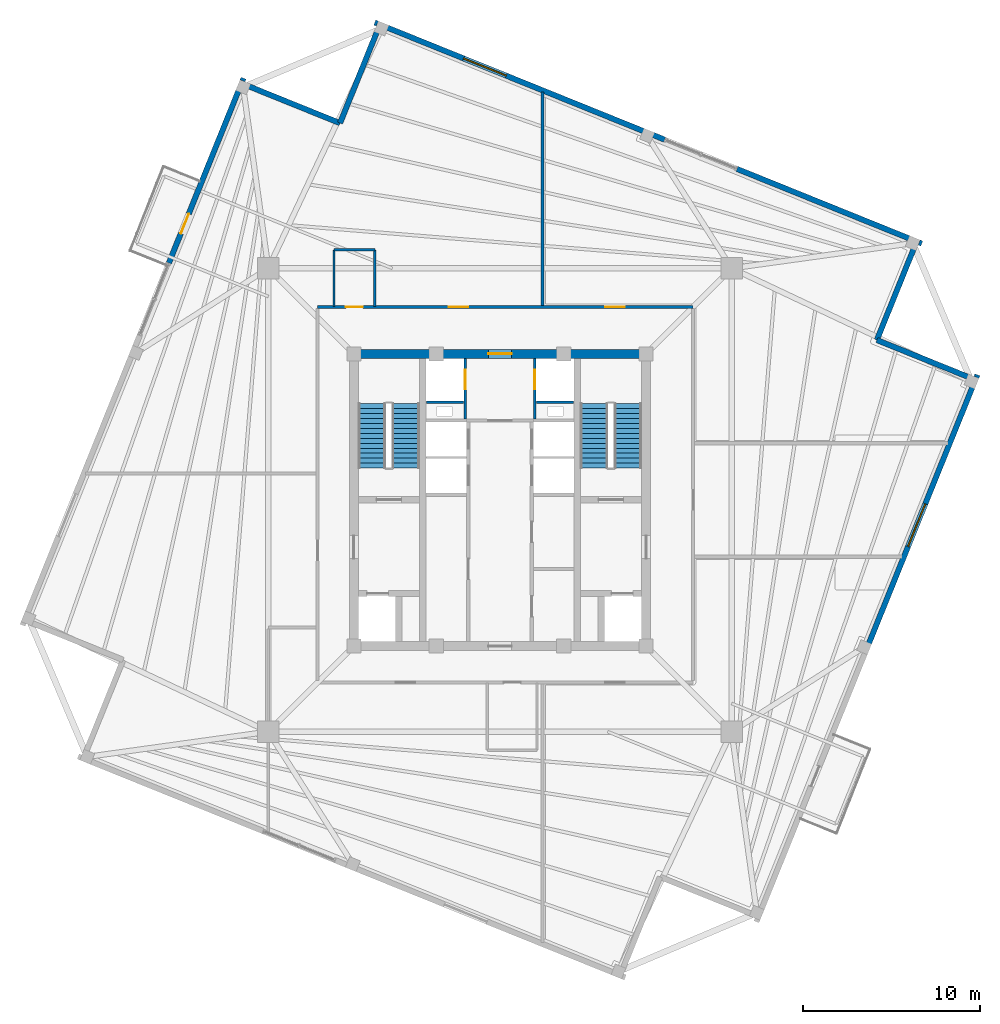
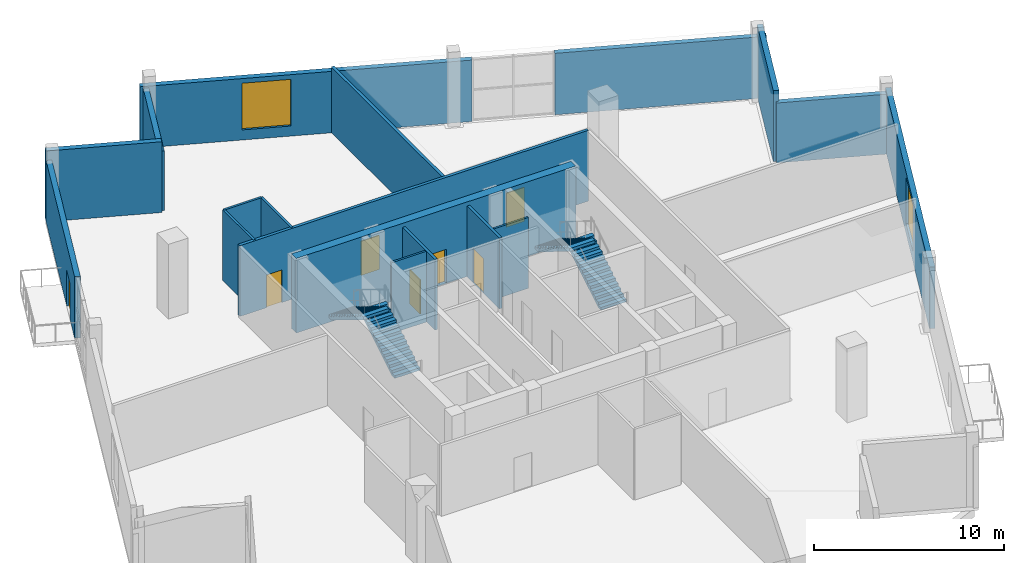
# One storey, part 9 of 12: 18 walls, 7 doors, 4 stair flights, 2 windows, 9 openings, 2 elements without a shape of their own.
"""IFC4 building model written with IfcOpenShell, lengths in metres."""

from ifc_helpers import new_model, si_unit, direction, frame, frame_2d, origin, place, context, subcontext, project, spatial, polyline, rectangle, outline, extrude, source, transform, mapped, material, layer, layer_set, type_object, element, fill, aggregate, save


model = new_model("IFC4")

# Units and contexts
model_context = context("Model", 3, precision=1e-05, world=origin(), true_north=direction((0.0, 1.0)))
body_context = subcontext(model_context, "Body", "Model", "MODEL_VIEW")
ifc_project = project(units=[si_unit("LENGTHUNIT", "METRE"), si_unit("AREAUNIT", "SQUARE_METRE"), si_unit("VOLUMEUNIT", "CUBIC_METRE"), si_unit("PLANEANGLEUNIT", "RADIAN"), si_unit("MASSUNIT", "GRAM", prefix="KILO"), si_unit("THERMODYNAMICTEMPERATUREUNIT", "KELVIN")], contexts=[model_context])

# Site, building, storey
site_placement = place(None, origin())
site = spatial("IfcSite", under=ifc_project, at=site_placement, CompositionType="ELEMENT")
building_placement = place(site_placement, origin())
building = spatial("IfcBuilding", under=site, at=building_placement, Name="Kosmvard Interchange Tower", CompositionType="ELEMENT")
storey_placement = place(building_placement, frame((0.0, 0.0, 312.0)))
storey = spatial("IfcBuildingStorey", under=building, at=storey_placement, Name="L77", CompositionType="ELEMENT", Elevation=312.0)

# Wall, opening, door
ifc_material_1 = material(Name="Fire-rated gypsum partition system")
ifc_layer_1 = layer(ifc_material_1, 0.159912109375, Name="Fire-rated gypsum partition system")
ifc_layer_set_1 = layer_set([ifc_layer_1], Name="Fire-rated gypsum partition system")
wall_type_1 = type_object("IfcWallType", Name="Core Compartment & Shuttle Lobby Partition 160", PredefinedType="PARTITIONING", material=ifc_layer_set_1)
wall_1_placement = place(storey_placement, frame((-1.9599609375, 4.580078125, 0.0), z_axis=(0.0, 0.0, 1.0), x_axis=(0.0, 1.0, 0.0)))
wall_1 = element("IfcWall", 1, at=wall_1_placement, inside=storey, type_object=wall_type_1, Name="L77 North Core West Wall", PredefinedType="PARTITIONING", context=body_context, shape_type="SweptSolid", body=[
    extrude(rectangle(XDim=3.39990234375, YDim=0.159912109375, at=frame_2d((1.699951171875, 0.0))), origin(), (0.0, 0.0, 1.0), 4.550048828125),
])
opening_1_placement = place(wall_1_placement, frame((1.669921875, 0.0, 0.0)))
opening_1 = element("IfcOpeningElement", 2, at=opening_1_placement, cuts=wall_1, Name="Opening LD-OBS1-L77", PredefinedType="OPENING", context=body_context, shape_type="SweptSolid", body=[
    extrude(rectangle(XDim=1.10009765625, YDim=2.199951171875, at=frame_2d((0.550048828125, 1.10009765625))), frame((0.0, 0.08984375, 0.0), z_axis=(0.0, -1.0, 0.0), x_axis=(1.0, 0.0, 0.0)), (0.0, 0.0, 1.0), 0.179931640625),
])
ifc_material_2 = material(Name="Brushed stainless steel sliding leaf", Category="steel")
door_type_1 = type_object("IfcDoorType", Name="Passenger Lift Sliding Landing Door 1100x2200 EI60", OperationType="DOUBLE_DOOR_SLIDING", PredefinedType="DOOR", material=ifc_material_2)
shared_shape_1 = source(origin(), body_context, "Body", "SweptSolid", [
    extrude(rectangle(XDim=1.10009765625, YDim=2.199951171875, at=frame_2d((0.550048828125, 1.10009765625))), frame((0.0, 0.02490234375, 0.0), z_axis=(0.0, -1.0, 0.0), x_axis=(1.0, 0.0, 0.0)), (0.0, 0.0, 1.0), 0.050048828125),
])
door_1_placement = place(opening_1_placement, frame((1.10009765625, 0.0, 0.0), z_axis=(0.0, 0.0, 1.0), x_axis=(-1.0, 0.0, 0.0)))
door_1 = element("IfcDoor", 3, at=door_1_placement, inside=storey, type_object=door_type_1, Name="Lift OBS-1 Landing Door L77", OperationType="DOUBLE_DOOR_SLIDING", OverallHeight=2.199951171875, OverallWidth=1.10009765625, PredefinedType="DOOR", context=body_context, shape_type="MappedRepresentation", body=[
    mapped(shared_shape_1, transform((0.0, 0.0, 0.0), scale=1.0)),
])
fill(opening_1, door_1)

wall_2_placement = place(storey_placement, frame((1.9599609375, 4.580078125, 0.0), z_axis=(0.0, 0.0, 1.0), x_axis=(0.0, 1.0, 0.0)))
wall_2 = element("IfcWall", 4, at=wall_2_placement, inside=storey, type_object=wall_type_1, Name="L77 North Core East Wall", PredefinedType="PARTITIONING", context=body_context, shape_type="SweptSolid", body=[
    extrude(rectangle(XDim=3.39990234375, YDim=0.159912109375, at=frame_2d((1.699951171875, 0.0))), origin(), (0.0, 0.0, 1.0), 4.550048828125),
])
opening_2_placement = place(wall_2_placement, frame((1.669921875, 0.0, 0.0)))
opening_2 = element("IfcOpeningElement", 5, at=opening_2_placement, cuts=wall_2, Name="Opening LD-OBS2-L77", PredefinedType="OPENING", context=body_context, shape_type="SweptSolid", body=[
    extrude(rectangle(XDim=1.10009765625, YDim=2.199951171875, at=frame_2d((0.550048828125, 1.10009765625))), frame((0.0, 0.08984375, 0.0), z_axis=(0.0, -1.0, 0.0), x_axis=(1.0, 0.0, 0.0)), (0.0, 0.0, 1.0), 0.179931640625),
])
door_2_placement = place(opening_2_placement, origin())
door_2 = element("IfcDoor", 6, at=door_2_placement, inside=storey, type_object=door_type_1, Name="Lift OBS-2 Landing Door L77", OperationType="DOUBLE_DOOR_SLIDING", OverallHeight=2.199951171875, OverallWidth=1.10009765625, PredefinedType="DOOR", context=body_context, shape_type="MappedRepresentation", body=[
    mapped(shared_shape_1, transform((0.0, 0.0, 0.0), scale=1.0)),
])
fill(opening_2, door_2)

# Wall, openings, doors
ifc_layer_2 = layer(ifc_material_1, 0.179931640625, Name="Fire-rated gypsum partition system")
ifc_layer_set_2 = layer_set([ifc_layer_2], Name="Fire-rated gypsum partition system")
wall_type_2 = type_object("IfcWallType", Name="Corridor & Hotel Compartment Partition 180", PredefinedType="PARTITIONING", material=ifc_layer_set_2)
wall_3_placement = place(storey_placement, frame((-10.300048828125, 10.89990234375, 0.0), z_axis=(0.0, 0.0, 1.0), x_axis=(1.0, 0.0, 0.0)))
wall_3 = element("IfcWall", 7, at=wall_3_placement, inside=storey, type_object=wall_type_2, Name="L77 Corridor Wall CN", PredefinedType="PARTITIONING", context=body_context, shape_type="SweptSolid", body=[
    extrude(rectangle(XDim=21.199951171875, YDim=0.179931640625, at=frame_2d((10.60009765625, 0.0))), origin(), (0.0, 0.0, 1.0), 4.550048828125),
])
opening_3_placement = place(wall_3_placement, frame((1.60498046875, 0.0, 0.0)))
opening_3 = element("IfcOpeningElement", 8, at=opening_3_placement, cuts=wall_3, Name="Opening L77-D01", PredefinedType="OPENING", context=body_context, shape_type="SweptSolid", body=[
    extrude(rectangle(XDim=0.949951171875, YDim=2.10009765625, at=frame_2d((0.47509765625, 1.050048828125))), frame((0.0, 0.10009765625, 0.0), z_axis=(0.0, -1.0, 0.0), x_axis=(1.0, 0.0, 0.0)), (0.0, 0.0, 1.0), 0.199951171875),
])
opening_4_placement = place(wall_3_placement, frame((7.408935546875, 0.0, 0.0)))
opening_4 = element("IfcOpeningElement", 9, at=opening_4_placement, cuts=wall_3, Name="Opening L77-D03", PredefinedType="OPENING", context=body_context, shape_type="SweptSolid", body=[
    extrude(rectangle(XDim=1.10009765625, YDim=2.199951171875, at=frame_2d((0.550048828125, 1.10009765625))), frame((0.0, 0.10009765625, 0.0), z_axis=(0.0, -1.0, 0.0), x_axis=(1.0, 0.0, 0.0)), (0.0, 0.0, 1.0), 0.199951171875),
])
opening_5_placement = place(wall_3_placement, frame((16.235595703125, 0.0, 0.0)))
opening_5 = element("IfcOpeningElement", 10, at=opening_5_placement, cuts=wall_3, Name="Opening L77-D04", PredefinedType="OPENING", context=body_context, shape_type="SweptSolid", body=[
    extrude(rectangle(XDim=1.10009765625, YDim=2.199951171875, at=frame_2d((0.550048828125, 1.10009765625))), frame((0.0, 0.10009765625, 0.0), z_axis=(0.0, -1.0, 0.0), x_axis=(1.0, 0.0, 0.0)), (0.0, 0.0, 1.0), 0.199951171875),
])
ifc_material_3 = material(Name="Laminated moisture-resistant timber", Category="wood")
door_type_2 = type_object("IfcDoorType", Name="Accessible Washroom Door 950x2100", OperationType="NOTDEFINED", PredefinedType="DOOR", material=ifc_material_3)
shared_shape_2 = source(origin(), body_context, "Body", "SweptSolid", [
    extrude(rectangle(XDim=0.949951171875, YDim=2.10009765625, at=frame_2d((0.47509765625, 1.050048828125))), frame((0.0, 0.02490234375, 0.0), z_axis=(0.0, -1.0, 0.0), x_axis=(1.0, 0.0, 0.0)), (0.0, 0.0, 1.0), 0.050048828125),
])
door_3_placement = place(opening_3_placement, origin())
door_3 = element("IfcDoor", 11, at=door_3_placement, inside=storey, type_object=door_type_2, Name="L77 Accessible Public Toilet Door", OperationType="SINGLE_SWING_LEFT", OverallHeight=2.10009765625, OverallWidth=0.949951171875, PredefinedType="DOOR", context=body_context, shape_type="MappedRepresentation", body=[
    mapped(shared_shape_2, transform((0.0, 0.0, 0.0), scale=1.0)),
])
fill(opening_3, door_3)
ifc_material_4 = material(Name="Engineered oak fire-rated timber", Category="wood")
door_type_3 = type_object("IfcDoorType", Name="Office Suite Entrance Door 1100x2200 FD30S", OperationType="NOTDEFINED", PredefinedType="DOOR", material=ifc_material_4)
door_4_placement = place(opening_4_placement, origin())
door_4 = element("IfcDoor", 12, at=door_4_placement, inside=storey, type_object=door_type_3, Name="L77 Public Observation Deck North Door", OperationType="SINGLE_SWING_LEFT", OverallHeight=2.199951171875, OverallWidth=1.10009765625, PredefinedType="DOOR", context=body_context, shape_type="MappedRepresentation", body=[
    mapped(shared_shape_1, transform((0.0, 0.0, 0.0), scale=1.0)),
])
fill(opening_4, door_4)
door_5_placement = place(opening_5_placement, origin())
door_5 = element("IfcDoor", 13, at=door_5_placement, inside=storey, type_object=door_type_3, Name="L77 Cosmic Modernism Gallery Door", OperationType="SINGLE_SWING_RIGHT", OverallHeight=2.199951171875, OverallWidth=1.10009765625, PredefinedType="DOOR", context=body_context, shape_type="MappedRepresentation", body=[
    mapped(shared_shape_1, transform((0.0, 0.0, 0.0), scale=1.0)),
])
fill(opening_5, door_5)

# Walls
wall_4_placement = place(storey_placement, frame((2.39990234375, 10.9951171875, 0.0), z_axis=(0.0, 0.0, 1.0), x_axis=(0.0, 1.0, 0.0)))
element("IfcWall", 14, at=wall_4_placement, inside=storey, type_object=wall_type_2, Name="L77 Room Partition 01.1", PredefinedType="PARTITIONING", context=body_context, shape_type="SweptSolid", body=[
    extrude(rectangle(XDim=12.0380859375, YDim=0.179931640625, at=frame_2d((6.01904296875, 0.0))), origin(), (0.0, 0.0, 1.0), 4.219970703125),
])
ifc_material_5 = material(Name="Fire-rated gypsum shaftwall system")
ifc_layer_3 = layer(ifc_material_5, 0.1201171875, Name="Fire-rated gypsum shaftwall system")
ifc_layer_set_3 = layer_set([ifc_layer_3], Name="Fire-rated gypsum shaftwall system")
wall_type_3 = type_object("IfcWallType", Name="Shaft & Riser Fire Partition 120 EI60", PredefinedType="PARTITIONING", material=ifc_layer_set_3)
for number, where, z_axis, x_axis, name in (
    (15, (-4.159912109375, 5.52001953125, 0.0), (0.0, 0.0, 1.0), (1.0, 0.0, 0.0), "L77 Riser Shaft Divider W"),
    (16, (2.06005859375, 5.52001953125, 0.0), (0.0, 0.0, 1.0), (1.0, 0.0, 0.0), "L77 Riser Shaft Divider E"),
):
    element("IfcWall", number, at=place(storey_placement, frame(where, z_axis=z_axis, x_axis=x_axis)), inside=storey, type_object=wall_type_3, Name=name, PredefinedType="PARTITIONING", context=body_context, shape_type="SweptSolid", body=[
        extrude(rectangle(XDim=2.099853515625, YDim=0.1201171875, at=frame_2d((1.0498046875, 0.0))), origin(), (0.0, 0.0, 1.0), 4.550048828125),
    ])

# Wall, opening, door
ifc_material_6 = material(Name="Concrete C60/75", Category="concrete")
ifc_layer_4 = layer(ifc_material_6, 0.5, Name="Concrete C60/75")
ifc_layer_set_4 = layer_set([ifc_layer_4], Name="Concrete C60/75")
wall_type_4 = type_object("IfcWallType", Name="Upper Core Shear Wall 500 C60/75", PredefinedType="SHEAR", material=ifc_layer_set_4)
wall_5_placement = place(storey_placement, frame((-8.5, 8.25, 0.0), z_axis=(0.0, 0.0, 1.0), x_axis=(1.0, 0.0, 0.0)))
wall_5 = element("IfcWall", 17, at=wall_5_placement, inside=storey, type_object=wall_type_4, Name="L77 Core Shear Wall CW-N", PredefinedType="SHEAR", context=body_context, shape_type="SweptSolid", body=[
    extrude(rectangle(XDim=17.0, YDim=0.5, at=frame_2d((8.5, 0.0))), origin(), (0.0, 0.0, 1.0), 4.800048828125),
])
opening_6_placement = place(wall_5_placement, frame((7.85009765625, 0.0, 0.0)))
opening_6 = element("IfcOpeningElement", 18, at=opening_6_placement, cuts=wall_5, Name="Opening L77-OD2", PredefinedType="OPENING", context=body_context, shape_type="SweptSolid", body=[
    extrude(rectangle(XDim=1.300048828125, YDim=2.199951171875, at=frame_2d((0.64990234375, 1.10009765625))), frame((0.0, 0.260009765625, 0.0), z_axis=(0.0, -1.0, 0.0), x_axis=(1.0, 0.0, 0.0)), (0.0, 0.0, 1.0), 0.52001953125),
])
ifc_material_7 = material(Name="Painted fire-rated steel leaf", Category="steel")
door_type_4 = type_object("IfcDoorType", Name="Firefighting Lobby Door 1300x2200 EI60", OperationType="NOTDEFINED", PredefinedType="DOOR", material=ifc_material_7)
shared_shape_3 = source(origin(), body_context, "Body", "SweptSolid", [
    extrude(rectangle(XDim=1.300048828125, YDim=2.199951171875, at=frame_2d((0.64990234375, 1.10009765625))), frame((0.0, 0.02490234375, 0.0), z_axis=(0.0, -1.0, 0.0), x_axis=(1.0, 0.0, 0.0)), (0.0, 0.0, 1.0), 0.050048828125),
])
door_6_placement = place(opening_6_placement, origin())
door_6 = element("IfcDoor", 19, at=door_6_placement, inside=storey, type_object=door_type_4, Name="L77 Shuttle Lobby North Door", OperationType="SINGLE_SWING_RIGHT", OverallHeight=2.199951171875, OverallWidth=1.300048828125, PredefinedType="DOOR", context=body_context, shape_type="MappedRepresentation", body=[
    mapped(shared_shape_3, transform((0.0, 0.0, 0.0), scale=1.0)),
])
fill(opening_6, door_6)

# Walls
ifc_material_8 = material(Name="Precast concrete C45/55", Category="concrete")
ifc_layer_5 = layer(ifc_material_8, 0.31005859375, Name="Precast concrete C45/55")
ifc_layer_set_5 = layer_set([ifc_layer_5], Name="Precast concrete C45/55")
wall_type_5 = type_object("IfcWallType", Name="Upper Tower Precast Pier Wall 310 C45/55", PredefinedType="STANDARD", material=ifc_layer_set_5)
wall_6_placement = place(storey_placement, frame((26.8408203125, 6.7841796875, 0.0), z_axis=(0.0, 0.0, 1.0), x_axis=(-0.927171722085, 0.374636620962, 0.0)))
element("IfcWall", 20, at=wall_6_placement, inside=storey, type_object=wall_type_5, Name="L77 Corner Precast Pier N-SE1", PredefinedType="STANDARD", context=body_context, shape_type="SweptSolid", body=[
    extrude(rectangle(XDim=6.0, YDim=0.31005859375, at=frame_2d((3.0, 0.0))), origin(), (0.0, 0.0, 1.0), 3.85009765625),
])
wall_7_placement = place(storey_placement, frame((21.27783203125, 9.031982421875, 0.0), z_axis=(0.0, 0.0, 1.0), x_axis=(0.374602739196, 0.927185411764, 0.0)))
element("IfcWall", 21, at=wall_7_placement, inside=storey, type_object=wall_type_5, Name="L77 Corner Precast Pier N-SE2", PredefinedType="STANDARD", context=body_context, shape_type="SweptSolid", body=[
    extrude(rectangle(XDim=6.155029296875, YDim=0.31005859375, at=frame_2d((3.07763671875, 0.0))), origin(), (0.0, 0.0, 1.0), 4.550048828125),
])
wall_8_placement = place(storey_placement, frame((-6.7841796875, 26.8408203125, 0.0), z_axis=(0.0, 0.0, 1.0), x_axis=(-0.374636620962, -0.927171722085, 0.0)))
element("IfcWall", 22, at=wall_8_placement, inside=storey, type_object=wall_type_5, Name="L77 Corner Precast Pier N-NE1", PredefinedType="STANDARD", context=body_context, shape_type="SweptSolid", body=[
    extrude(rectangle(XDim=6.0, YDim=0.31005859375, at=frame_2d((3.0, 0.0))), origin(), (0.0, 0.0, 1.0), 3.85009765625),
])
wall_9_placement = place(storey_placement, frame((-9.031982421875, 21.27783203125, 0.0), z_axis=(0.0, 0.0, 1.0), x_axis=(-0.927185411764, 0.374602739196, 0.0)))
element("IfcWall", 23, at=wall_9_placement, inside=storey, type_object=wall_type_5, Name="L77 Corner Precast Pier N-NE2", PredefinedType="STANDARD", context=body_context, shape_type="SweptSolid", body=[
    extrude(rectangle(XDim=6.155029296875, YDim=0.31005859375, at=frame_2d((3.07763671875, 0.0))), origin(), (0.0, 0.0, 1.0), 4.550048828125),
])

# Wall, opening, window
wall_10_placement = place(storey_placement, frame((20.718017578125, -8.37060546875, 0.0), z_axis=(0.0, 0.0, 1.0), x_axis=(0.374600710538, 0.927186231382, 0.0)))
wall_10 = element("IfcWall", 24, at=wall_10_placement, inside=storey, type_object=wall_type_5, Name="L77 Facade Pier Wall SB", PredefinedType="STANDARD", context=body_context, shape_type="SweptSolid", body=[
    extrude(rectangle(XDim=16.655029296875, YDim=0.31005859375, at=frame_2d((8.32763671875, 0.0))), origin(), (0.0, 0.0, 1.0), 3.949951171875),
])
opening_7_placement = place(wall_10_placement, frame((6.19482421875, 0.0, 0.64990234375)))
opening_7 = element("IfcOpeningElement", 25, at=opening_7_placement, cuts=wall_10, Name="Opening L77-WSB", PredefinedType="OPENING", context=body_context, shape_type="SweptSolid", body=[
    extrude(rectangle(XDim=2.60009765625, YDim=3.0, at=frame_2d((1.300048828125, 1.5))), frame((0.0, 0.1650390625, 0.0), z_axis=(0.0, -1.0, 0.0), x_axis=(1.0, 0.0, 0.0)), (0.0, 0.0, 1.0), 0.330078125),
])
ifc_material_9 = material(Name="Laminated panoramic double glazing", Category="glass")
window_type = type_object("IfcWindowType", Name="Observation Gallery Clerestory Window 2600x3000", PartitioningType="SINGLE_PANEL", PredefinedType="WINDOW", material=ifc_material_9)
shared_shape_4 = source(origin(), body_context, "Body", "SweptSolid", [
    extrude(rectangle(XDim=2.60009765625, YDim=3.0, at=frame_2d((1.300048828125, 1.5))), frame((0.0, 0.030029296875, 0.0), z_axis=(0.0, -1.0, 0.0), x_axis=(1.0, 0.0, 0.0)), (0.0, 0.0, 1.0), 0.06005859375),
])
window_1_placement = place(opening_7_placement, origin())
window_1 = element("IfcWindow", 26, at=window_1_placement, inside=storey, type_object=window_type, Name="L77 Facade Punched Window SB", OverallHeight=3.0, OverallWidth=2.60009765625, PartitioningType="SINGLE_PANEL", PredefinedType="WINDOW", context=body_context, shape_type="MappedRepresentation", body=[
    mapped(shared_shape_4, transform((0.0, 0.0, 0.0), scale=1.0)),
])
fill(opening_7, window_1)

# Wall
wall_11_placement = place(storey_placement, frame((23.812744140625, 14.478759765625, 0.0), z_axis=(0.0, 0.0, 1.0), x_axis=(-0.927178527544, 0.374619777991, 0.0)))
element("IfcWall", 27, at=wall_11_placement, inside=storey, type_object=wall_type_5, Name="L77 Facade Pier Wall EA", PredefinedType="STANDARD", context=body_context, shape_type="SweptSolid", body=[
    extrude(rectangle(XDim=11.2548828125, YDim=0.31005859375, at=frame_2d((5.62744140625, 0.0))), origin(), (0.0, 0.0, 1.0), 3.949951171875),
])

# Wall, opening, window
wall_12_placement = place(storey_placement, frame((9.2978515625, 20.34326171875, 0.0), z_axis=(0.0, 0.0, 1.0), x_axis=(-0.927183654967, 0.374607087443, 0.0)))
wall_12 = element("IfcWall", 28, at=wall_12_placement, inside=storey, type_object=wall_type_5, Name="L77 Facade Pier Wall EB", PredefinedType="STANDARD", context=body_context, shape_type="SweptSolid", body=[
    extrude(rectangle(XDim=17.6552734375, YDim=0.31005859375, at=frame_2d((8.82763671875, 0.0))), origin(), (0.0, 0.0, 1.0), 3.949951171875),
])
opening_8_placement = place(wall_12_placement, frame((9.64599609375, 0.0, 0.64990234375)))
opening_8 = element("IfcOpeningElement", 29, at=opening_8_placement, cuts=wall_12, Name="Opening L77-WEB", PredefinedType="OPENING", context=body_context, shape_type="SweptSolid", body=[
    extrude(rectangle(XDim=2.60009765625, YDim=3.0, at=frame_2d((1.300048828125, 1.5))), frame((0.0, 0.1650390625, 0.0), z_axis=(0.0, -1.0, 0.0), x_axis=(1.0, 0.0, 0.0)), (0.0, 0.0, 1.0), 0.330078125),
])
window_2_placement = place(opening_8_placement, origin())
window_2 = element("IfcWindow", 30, at=window_2_placement, inside=storey, type_object=window_type, Name="L77 Facade Punched Window EB", OverallHeight=3.0, OverallWidth=2.60009765625, PartitioningType="SINGLE_PANEL", PredefinedType="WINDOW", context=body_context, shape_type="MappedRepresentation", body=[
    mapped(shared_shape_4, transform((0.0, 0.0, 0.0), scale=1.0)),
])
fill(opening_8, window_2)

# Wall, opening, door
wall_13_placement = place(storey_placement, frame((-14.478759765625, 23.812744140625, 0.0), z_axis=(0.0, 0.0, 1.0), x_axis=(-0.374619777991, -0.927178527544, 0.0)))
wall_13 = element("IfcWall", 31, at=wall_13_placement, inside=storey, type_object=wall_type_5, Name="L77 Facade Pier Wall NA", PredefinedType="STANDARD", context=body_context, shape_type="SweptSolid", body=[
    extrude(rectangle(XDim=11.2548828125, YDim=0.31005859375, at=frame_2d((5.62744140625, 0.0))), origin(), (0.0, 0.0, 1.0), 3.949951171875),
])
opening_9_placement = place(wall_13_placement, frame((8.2548828125, 0.0, 0.0)))
opening_9 = element("IfcOpeningElement", 32, at=opening_9_placement, cuts=wall_13, Name="Opening L77-TDN", PredefinedType="OPENING", context=body_context, shape_type="SweptSolid", body=[
    extrude(rectangle(XDim=1.199951171875, YDim=2.300048828125, at=frame_2d((0.60009765625, 1.14990234375))), frame((0.0, 0.1650390625, 0.0), z_axis=(0.0, -1.0, 0.0), x_axis=(1.0, 0.0, 0.0)), (0.0, 0.0, 1.0), 0.330078125),
])
ifc_material_10 = material(Name="Anodised aluminium and safety glass", Category="aluminium")
door_type_5 = type_object("IfcDoorType", Name="Cascade Terrace Glazed Door 1200x2300", OperationType="NOTDEFINED", PredefinedType="DOOR", material=ifc_material_10)
shared_shape_5 = source(origin(), body_context, "Body", "SweptSolid", [
    extrude(rectangle(XDim=1.199951171875, YDim=2.300048828125, at=frame_2d((0.60009765625, 1.14990234375))), frame((0.0, 0.02490234375, 0.0), z_axis=(0.0, -1.0, 0.0), x_axis=(1.0, 0.0, 0.0)), (0.0, 0.0, 1.0), 0.050048828125),
])
door_7_placement = place(opening_9_placement, origin())
door_7 = element("IfcDoor", 33, at=door_7_placement, inside=storey, type_object=door_type_5, Name="L77 Terrace Access Door OBD-L77-N", OperationType="SINGLE_SWING_LEFT", OverallHeight=2.300048828125, OverallWidth=1.199951171875, PredefinedType="DOOR", context=body_context, shape_type="MappedRepresentation", body=[
    mapped(shared_shape_5, transform((0.0, 0.0, 0.0), scale=1.0)),
])
fill(opening_9, door_7)

# Walls
ifc_material_11 = material(Name="Moisture-resistant gypsum partition")
ifc_layer_6 = layer(ifc_material_11, 0.135009765625, Name="Moisture-resistant gypsum partition")
ifc_layer_set_6 = layer_set([ifc_layer_6], Name="Moisture-resistant gypsum partition")
wall_type_6 = type_object("IfcWallType", Name="Wet Room Moisture-Resistant Partition 135", PredefinedType="PARTITIONING", material=ifc_layer_set_6)
wall_14_placement = place(storey_placement, frame((-7.070068359375, 10.919921875, 0.0), z_axis=(0.0, 0.0, 1.0), x_axis=(0.0, 1.0, 0.0)))
element("IfcWall", 34, at=wall_14_placement, inside=storey, type_object=wall_type_6, Name="L77 Washroom Partition AWC1-E", PredefinedType="PARTITIONING", context=body_context, shape_type="SweptSolid", body=[
    extrude(rectangle(XDim=3.2001953125, YDim=0.135009765625, at=frame_2d((1.60009765625, 0.0))), origin(), (0.0, 0.0, 1.0), 4.550048828125),
])
wall_15_placement = place(storey_placement, frame((-9.3701171875, 14.1201171875, 0.0), z_axis=(0.0, 0.0, 1.0), x_axis=(1.0, 0.0, 0.0)))
element("IfcWall", 35, at=wall_15_placement, inside=storey, type_object=wall_type_6, Name="L77 Washroom Partition AWC1-N", PredefinedType="PARTITIONING", context=body_context, shape_type="SweptSolid", body=[
    extrude(rectangle(XDim=2.300048828125, YDim=0.135009765625, at=frame_2d((1.14990234375, 0.0))), origin(), (0.0, 0.0, 1.0), 4.550048828125),
])
wall_16_placement = place(storey_placement, frame((-9.3701171875, 10.919921875, 0.0), z_axis=(0.0, 0.0, 1.0), x_axis=(0.0, 1.0, 0.0)))
element("IfcWall", 36, at=wall_16_placement, inside=storey, type_object=wall_type_6, Name="L77 Washroom Partition AWC1-W", PredefinedType="PARTITIONING", context=body_context, shape_type="SweptSolid", body=[
    extrude(rectangle(XDim=3.2001953125, YDim=0.135009765625, at=frame_2d((1.60009765625, 0.0))), origin(), (0.0, 0.0, 1.0), 4.550048828125),
])

# Stair, stair flights
ifc_material_12 = material(Name="Concrete C50/60", Category="concrete")
stair_type = type_object("IfcStairType", Name="Dog-Leg Core Exit Stair H4800 C50/60", PredefinedType="HALF_TURN_STAIR", material=ifc_material_12)
stair_1_placement = place(storey_placement, origin())
stair_1 = element("IfcStair", 37, at=stair_1_placement, inside=storey, type_object=stair_type, Name="L77 Protected Exit Stair ST-1", PredefinedType="HALF_TURN_STAIR")
stair_flight_type = type_object("IfcStairFlightType", Name="Core Stair Flight W1550 H4800 C50/60", PredefinedType="STRAIGHT", material=ifc_material_12)
shared_shape_6 = source(origin(), body_context, "Body", "SweptSolid", [
    extrude(outline(polyline([(0.0, 0.0), (0.0, 0.17138671875), (0.280029296875, 0.17138671875), (0.280029296875, 0.3427734375), (0.56005859375, 0.3427734375), (0.56005859375, 0.514404296875), (0.840087890625, 0.514404296875), (0.840087890625, 0.685791015625), (1.1201171875, 0.685791015625), (1.1201171875, 0.857177734375), (1.39990234375, 0.857177734375), (1.39990234375, 1.028564453125), (1.679931640625, 1.028564453125), (1.679931640625, 1.199951171875), (1.9599609375, 1.199951171875), (1.9599609375, 1.371337890625), (2.239990234375, 1.371337890625), (2.239990234375, 1.54296875), (2.52001953125, 1.54296875), (2.52001953125, 1.71435546875), (2.800048828125, 1.71435546875), (2.800048828125, 1.8857421875), (3.080078125, 1.8857421875), (3.080078125, 2.05712890625), (3.360107421875, 2.05712890625), (3.360107421875, 2.228515625), (3.639892578125, 2.228515625), (3.639892578125, 2.39990234375), (3.639892578125, 2.041015625), (0.30615234375, 0.0), (0.0, 0.0)])), frame((0.0, 0.77490234375, 0.0), z_axis=(0.0, -1.0, 0.0), x_axis=(1.0, 0.0, 0.0)), (0.0, 0.0, 1.0), 1.550048828125),
])
stair_flight_1_placement = place(storey_placement, frame((-5.31494140625, 1.800048828125, 0.0), z_axis=(0.0, 0.0, 1.0), x_axis=(0.0, 1.0, 0.0)))
stair_flight_1 = element("IfcStairFlight", 38, at=stair_flight_1_placement, type_object=stair_flight_type, Name="ST-1 flight 1", NumberOfRisers=14, NumberOfTreads=13, PredefinedType="STRAIGHT", RiserHeight=0.171428571, TreadLength=0.28, context=body_context, shape_type="MappedRepresentation", body=[
    mapped(shared_shape_6, transform((0.0, 0.0, 0.0), scale=1.0)),
])
stair_flight_2_placement = place(storey_placement, frame((-7.22509765625, 5.43994140625, 2.39990234375), z_axis=(0.0, 0.0, 1.0), x_axis=(0.0, -1.0, 0.0)))
stair_flight_2 = element("IfcStairFlight", 39, at=stair_flight_2_placement, type_object=stair_flight_type, Name="ST-1 flight 2", NumberOfRisers=14, NumberOfTreads=13, PredefinedType="STRAIGHT", RiserHeight=0.171428571, TreadLength=0.28, context=body_context, shape_type="MappedRepresentation", body=[
    mapped(shared_shape_6, transform((0.0, 0.0, 0.0), scale=1.0)),
])
aggregate(stair_1, [stair_flight_1, stair_flight_2])

stair_2_placement = place(storey_placement, origin())
stair_2 = element("IfcStair", 40, at=stair_2_placement, inside=storey, type_object=stair_type, Name="L77 Protected Exit Stair ST-2", PredefinedType="HALF_TURN_STAIR")
stair_flight_3_placement = place(storey_placement, frame((7.22509765625, 1.800048828125, 0.0), z_axis=(0.0, 0.0, 1.0), x_axis=(0.0, 1.0, 0.0)))
stair_flight_3 = element("IfcStairFlight", 41, at=stair_flight_3_placement, type_object=stair_flight_type, Name="ST-2 flight 1", NumberOfRisers=14, NumberOfTreads=13, PredefinedType="STRAIGHT", RiserHeight=0.171428571, TreadLength=0.28, context=body_context, shape_type="MappedRepresentation", body=[
    mapped(shared_shape_6, transform((0.0, 0.0, 0.0), scale=1.0)),
])
stair_flight_4_placement = place(storey_placement, frame((5.31494140625, 5.43994140625, 2.39990234375), z_axis=(0.0, 0.0, 1.0), x_axis=(0.0, -1.0, 0.0)))
stair_flight_4 = element("IfcStairFlight", 42, at=stair_flight_4_placement, type_object=stair_flight_type, Name="ST-2 flight 2", NumberOfRisers=14, NumberOfTreads=13, PredefinedType="STRAIGHT", RiserHeight=0.171428571, TreadLength=0.28, context=body_context, shape_type="MappedRepresentation", body=[
    mapped(shared_shape_6, transform((0.0, 0.0, 0.0), scale=1.0)),
])
aggregate(stair_2, [stair_flight_3, stair_flight_4])

save(model, "model.ifc")
